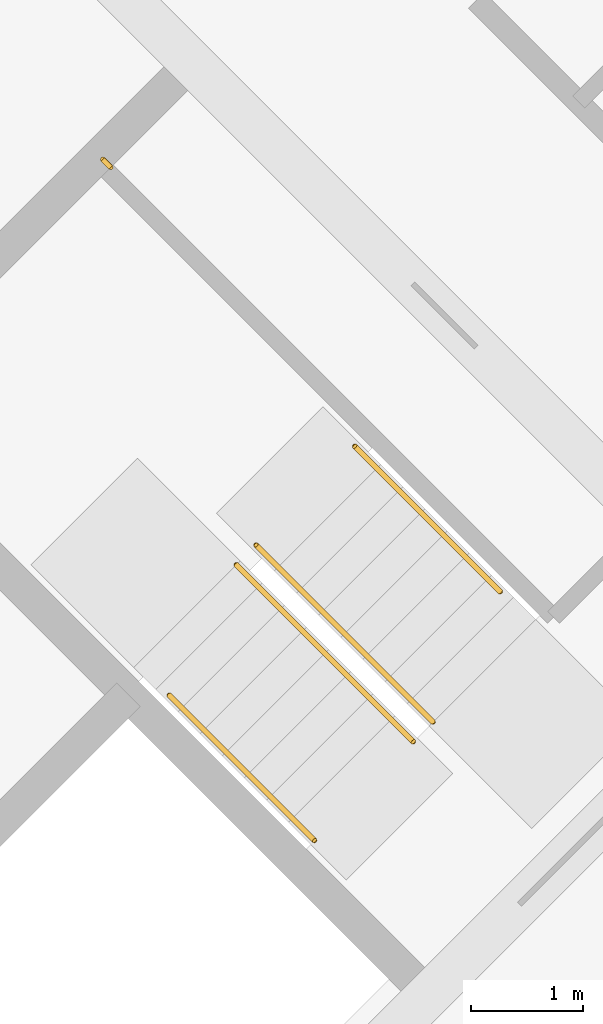
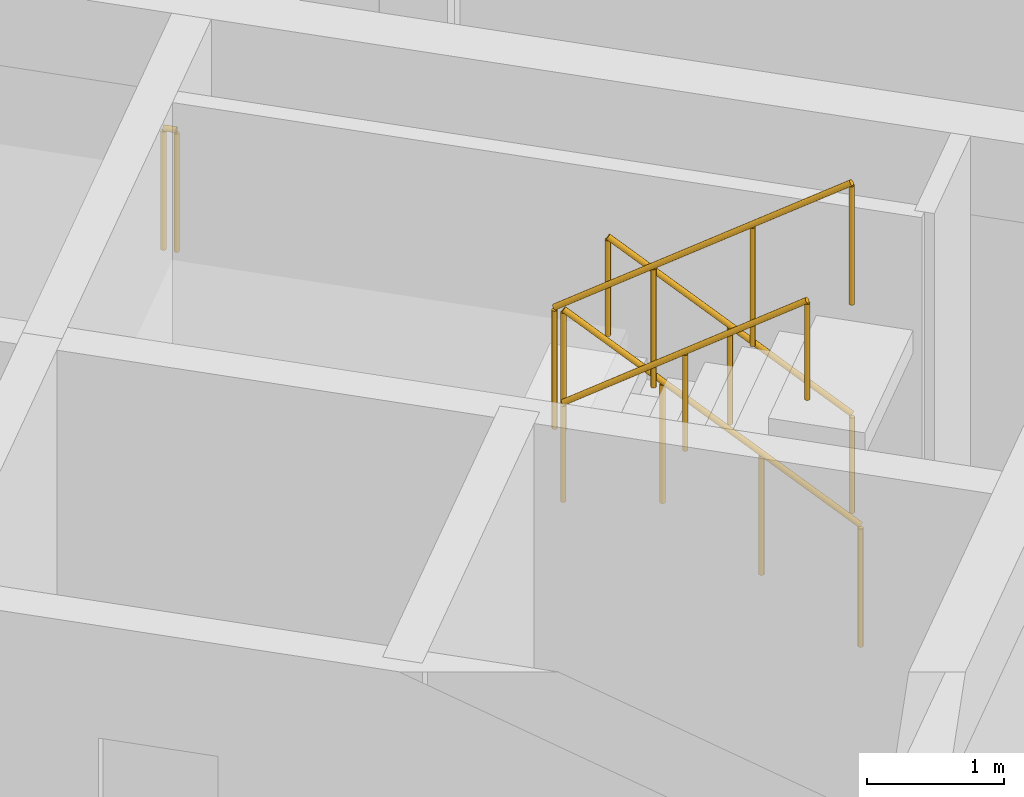
# One storey, part 12 of 12: 5 railings.
"""IFC4 building model written with IfcOpenShell, lengths in metres."""

from ifc_helpers import new_model, si_unit, direction, frame, origin, origin_2d, place, context, subcontext, project, spatial, circle, extrude, material, type_object, element, save


model = new_model("IFC4")

# Units and contexts
model_context = context("Model", 3, precision=1e-05, world=origin(), true_north=direction((0.0, 1.0)))
body_context = subcontext(model_context, "Body", "Model", "MODEL_VIEW")
ifc_project = project(units=[si_unit("LENGTHUNIT", "METRE"), si_unit("AREAUNIT", "SQUARE_METRE"), si_unit("VOLUMEUNIT", "CUBIC_METRE"), si_unit("PLANEANGLEUNIT", "RADIAN"), si_unit("MASSUNIT", "GRAM", prefix="KILO")], contexts=[model_context])

# Site, building, storey
site_placement = place(None, origin())
site = spatial("IfcSite", under=ifc_project, at=site_placement, CompositionType="ELEMENT")
building_placement = place(site_placement, origin())
building = spatial("IfcBuilding", under=site, at=building_placement, Name="Windrow Commons", CompositionType="ELEMENT")
storey_placement = place(building_placement, frame((0.0, 0.0, 277.8)))
storey = spatial("IfcBuildingStorey", under=building, at=storey_placement, Name="L76", CompositionType="ELEMENT", Elevation=277.8)

# Railings
ifc_material_1 = material(Name="Steel S355", Category="steel")
railing_type_1 = type_object("IfcRailingType", Name="Core stair guard 1100", PredefinedType="GUARDRAIL", material=ifc_material_1)
railing_1_placement = place(storey_placement, frame((94.2296, 48.4215, 0.1889)))
element("IfcRailing", 1, at=railing_1_placement, inside=storey, type_object=railing_type_1, Name="L76 ST-B2 stair guard 1", PredefinedType="GUARDRAIL", context=body_context, shape_type="SweptSolid", body=[
    extrude(circle(Radius=0.024, at=origin_2d()), frame((0.0, 0.0, 1.076), z_axis=(-0.5862157828, 0.5861787742, 0.5592365337), x_axis=(-0.7070844598, -0.7071291018, 0.0)), (0.0, 0.0, 1.0), 2.7021),
    extrude(circle(Radius=0.021, at=origin_2d()), origin(), (0.0, 0.0, 1.0), 1.052),
    extrude(circle(Radius=0.021, at=origin_2d()), frame((-0.528, 0.528, 0.5037)), (0.0, 0.0, 1.0), 1.052),
    extrude(circle(Radius=0.021, at=origin_2d()), frame((-1.056, 1.0559, 1.0074)), (0.0, 0.0, 1.0), 1.052),
    extrude(circle(Radius=0.021, at=origin_2d()), frame((-1.584, 1.5839, 1.5111)), (0.0, 0.0, 1.0), 1.052),
])
railing_2_placement = place(storey_placement, frame((92.4689, 49.8287, 1.8889)))
element("IfcRailing", 2, at=railing_2_placement, inside=storey, type_object=railing_type_1, Name="L76 ST-B2 stair guard 2", PredefinedType="GUARDRAIL", context=body_context, shape_type="SweptSolid", body=[
    extrude(circle(Radius=0.024, at=origin_2d()), frame((0.0, 0.0, 1.076), z_axis=(0.5861787742, -0.5862157828, 0.5592365337), x_axis=(0.7071291018, 0.7070844598, 0.0)), (0.0, 0.0, 1.0), 2.7021),
    extrude(circle(Radius=0.021, at=origin_2d()), origin(), (0.0, 0.0, 1.0), 1.052),
    extrude(circle(Radius=0.021, at=origin_2d()), frame((0.528, -0.528, 0.5037)), (0.0, 0.0, 1.0), 1.052),
    extrude(circle(Radius=0.021, at=origin_2d()), frame((1.0559, -1.056, 1.0074)), (0.0, 0.0, 1.0), 1.052),
    extrude(circle(Radius=0.021, at=origin_2d()), frame((1.5839, -1.584, 1.5111)), (0.0, 0.0, 1.0), 1.052),
])
railing_3_placement = place(storey_placement, frame((91.3446, 53.3854, 1.7)))
element("IfcRailing", 3, at=railing_3_placement, inside=storey, type_object=railing_type_1, Name="L76 ST-B2 stair guard 3", PredefinedType="GUARDRAIL", context=body_context, shape_type="SweptSolid", body=[
    extrude(circle(Radius=0.024, at=origin_2d()), frame((0.0, 0.0, 1.076), z_axis=(-0.7076063266, 0.7066068826, 0.0), x_axis=(-0.7066068826, -0.7076063266, 0.0)), (0.0, 0.0, 1.0), 0.1001),
    extrude(circle(Radius=0.021, at=origin_2d()), origin(), (0.0, 0.0, 1.0), 1.052),
    extrude(circle(Radius=0.021, at=origin_2d()), frame((-0.0708, 0.0707, 0.0)), (0.0, 0.0, 1.0), 1.052),
])
ifc_material_2 = material(Name="Steel S355", Category="steel")
railing_type_2 = type_object("IfcRailingType", Name="Core stair handrail 900", PredefinedType="HANDRAIL", material=ifc_material_2)
railing_4_placement = place(storey_placement, frame((94.8306, 49.5883, 0.4587)))
element("IfcRailing", 4, at=railing_4_placement, inside=storey, type_object=railing_type_2, Name="L76 ST-B2 stair handrail 1", PredefinedType="HANDRAIL", context=body_context, shape_type="SweptSolid", body=[
    extrude(circle(Radius=0.024, at=origin_2d()), frame((0.0, 0.0, 0.876), z_axis=(-0.586206706, 0.5861616513, 0.5592639952), x_axis=(-0.7070796062, -0.7071339551, 0.0)), (0.0, 0.0, 1.0), 2.2195),
    extrude(circle(Radius=0.021, at=origin_2d()), origin(), (0.0, 0.0, 1.0), 0.852),
    extrude(circle(Radius=0.021, at=origin_2d()), frame((-0.6506, 0.6505, 0.6207)), (0.0, 0.0, 1.0), 0.852),
    extrude(circle(Radius=0.021, at=origin_2d()), frame((-1.3011, 1.301, 1.2413)), (0.0, 0.0, 1.0), 0.852),
])
railing_5_placement = place(storey_placement, frame((91.8678, 48.6619, 2.1587)))
element("IfcRailing", 5, at=railing_5_placement, inside=storey, type_object=railing_type_2, Name="L76 ST-B2 stair handrail 2", PredefinedType="HANDRAIL", context=body_context, shape_type="SweptSolid", body=[
    extrude(circle(Radius=0.024, at=origin_2d()), frame((0.0, 0.0, 0.876), z_axis=(0.586206706, -0.5861616513, 0.5592639952), x_axis=(0.7070796062, 0.7071339551, 0.0)), (0.0, 0.0, 1.0), 2.2195),
    extrude(circle(Radius=0.021, at=origin_2d()), origin(), (0.0, 0.0, 1.0), 0.852),
    extrude(circle(Radius=0.021, at=origin_2d()), frame((0.6505, -0.6505, 0.6206)), (0.0, 0.0, 1.0), 0.852),
    extrude(circle(Radius=0.021, at=origin_2d()), frame((1.3011, -1.301, 1.2413)), (0.0, 0.0, 1.0), 0.852),
])

save(model, "model.ifc")
